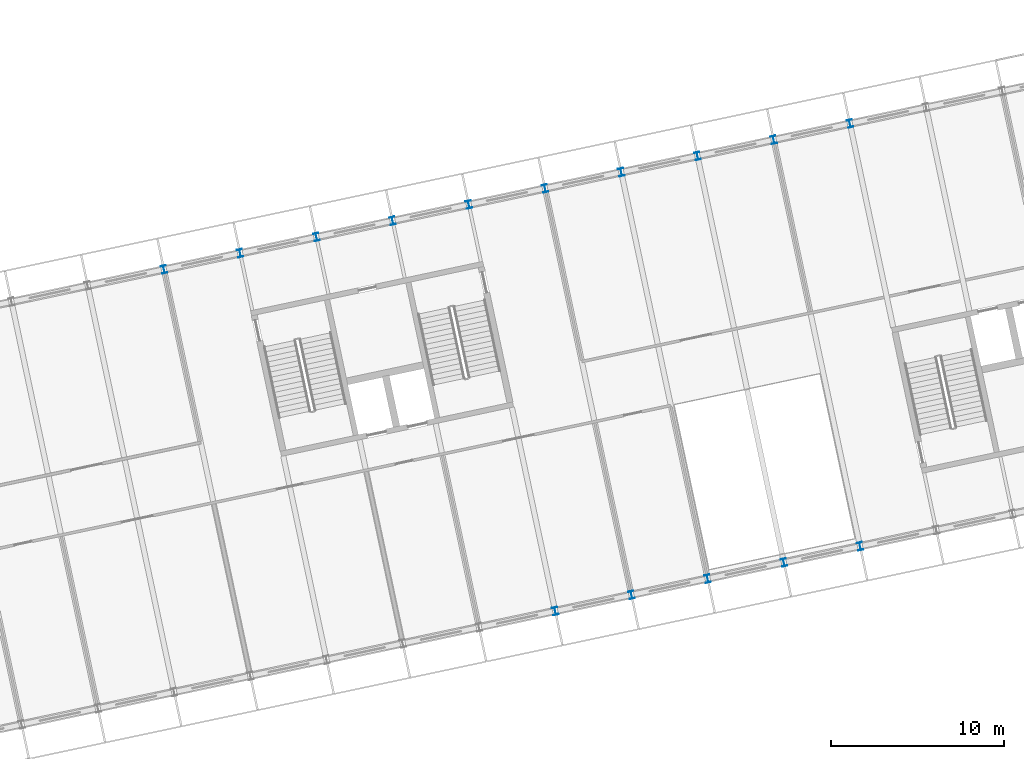
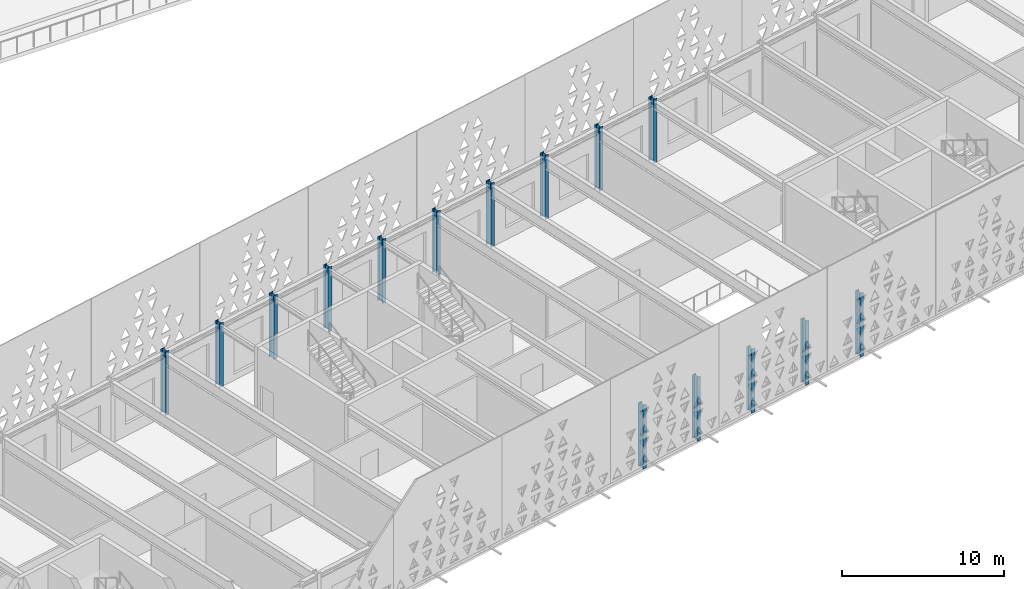
# One storey, part 5 of 196: 15 columns.
"""IFC4 building model written with IfcOpenShell, lengths in metres."""

from ifc_helpers import new_model, si_unit, direction, frame, origin, origin_2d, place, context, subcontext, project, spatial, i_section, extrude, material, material_profile, profile_set, type_object, element, save


model = new_model("IFC4")

# Units and contexts
model_context = context("Model", 3, precision=1e-05, world=origin(), true_north=direction((0.0, 1.0)))
body_context = subcontext(model_context, "Body", "Model", "MODEL_VIEW")
ifc_project = project(units=[si_unit("LENGTHUNIT", "METRE"), si_unit("AREAUNIT", "SQUARE_METRE"), si_unit("VOLUMEUNIT", "CUBIC_METRE"), si_unit("PLANEANGLEUNIT", "RADIAN"), si_unit("MASSUNIT", "GRAM", prefix="KILO")], contexts=[model_context])

# Site, building, storey
site_placement = place(None, origin())
site = spatial("IfcSite", under=ifc_project, at=site_placement, CompositionType="ELEMENT")
building_placement = place(site_placement, origin())
building = spatial("IfcBuilding", under=site, at=building_placement, Name="Okhra Congress Centre", CompositionType="ELEMENT")
storey_placement = place(building_placement, frame((0.0, 0.0, 12.0)))
storey = spatial("IfcBuildingStorey", under=building, at=storey_placement, Name="L02", CompositionType="ELEMENT", Elevation=12.0)

# Columns
ifc_material = material(Name="Steel S355J2", Category="steel")
ifc_material_profile = material_profile(ifc_material, i_section(OverallWidth=0.300048828125, OverallDepth=0.449951171875, WebThickness=0.013916015625, FlangeThickness=0.02587890625, FilletRadius=0.027099609375, at=origin_2d()), Name="HE 450 B")
ifc_profile_set = profile_set([ifc_material_profile], Name="Steel S355J2")
column_type = type_object("IfcColumnType", Name="Steel post HE 450 B", PredefinedType="COLUMN", material=ifc_profile_set)
for number, where, z_axis, x_axis, name in (
    (1, (113.8310546875, 38.036376953125, 0.0), (0.0, 0.0, 1.0), (0.978147600734, 0.207911690818, 0.0), "Post S13"),
    (2, (118.232666015625, 38.97216796875, 0.0), (0.0, 0.0, 1.0), (0.978147600734, 0.207911690818, 0.0), "Post S14"),
    (3, (122.63427734375, 39.90771484375, 0.0), (0.0, 0.0, 1.0), (0.978147600734, 0.207911690818, 0.0), "Post S15"),
    (4, (127.035888671875, 40.84326171875, 0.0), (0.0, 0.0, 1.0), (0.978147600734, 0.207911690818, 0.0), "Post S16"),
    (5, (131.4375, 41.77880859375, 0.0), (0.0, 0.0, 1.0), (0.978147600734, 0.207911690818, 0.0), "Post S17"),
    (6, (91.234375, 57.76953125, 0.0), (0.0, 0.0, 1.0), (0.978147600734, 0.207911690818, 0.0), "Post N9"),
    (7, (95.635986328125, 58.705322265625, 0.0), (0.0, 0.0, 1.0), (0.978147600734, 0.207911690818, 0.0), "Post N10"),
    (8, (100.037841796875, 59.640869140625, 0.0), (0.0, 0.0, 1.0), (0.978147600734, 0.207911690818, 0.0), "Post N11"),
    (9, (104.439453125, 60.576416015625, 0.0), (0.0, 0.0, 1.0), (0.978147600734, 0.207911690818, 0.0), "Post N12"),
    (10, (108.841064453125, 61.511962890625, 0.0), (0.0, 0.0, 1.0), (0.978147600734, 0.207911690818, 0.0), "Post N13"),
    (11, (113.24267578125, 62.447509765625, 0.0), (0.0, 0.0, 1.0), (0.978147600734, 0.207911690818, 0.0), "Post N14"),
    (12, (117.64453125, 63.38330078125, 0.0), (0.0, 0.0, 1.0), (0.978147600734, 0.207911690818, 0.0), "Post N15"),
    (13, (122.046142578125, 64.31884765625, 0.0), (0.0, 0.0, 1.0), (0.978147600734, 0.207911690818, 0.0), "Post N16"),
    (14, (126.44775390625, 65.25439453125, 0.0), (0.0, 0.0, 1.0), (0.978147600734, 0.207911690818, 0.0), "Post N17"),
    (15, (130.849365234375, 66.18994140625, 0.0), (0.0, 0.0, 1.0), (0.978147600734, 0.207911690818, 0.0), "Post N18"),
):
    element("IfcColumn", number, at=place(storey_placement, frame(where, z_axis=z_axis, x_axis=x_axis)), inside=storey, type_object=column_type, Name=name, PredefinedType="COLUMN", context=body_context, shape_type="SweptSolid", body=[
        extrude(i_section(OverallWidth=0.300048828125, OverallDepth=0.449951171875, WebThickness=0.013916015625, FlangeThickness=0.02587890625, FilletRadius=0.027099609375, at=origin_2d()), origin(), (0.0, 0.0, 1.0), 4.800048828125),
    ])

save(model, "model.ifc")
